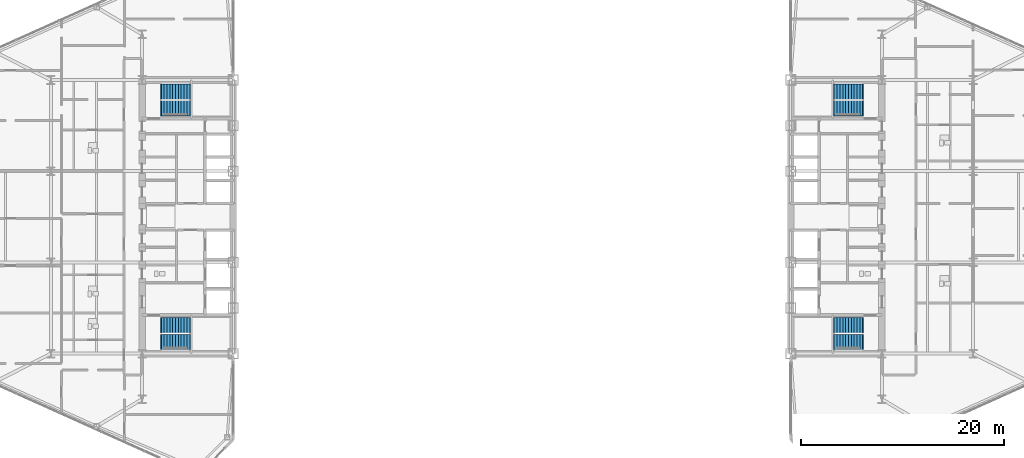
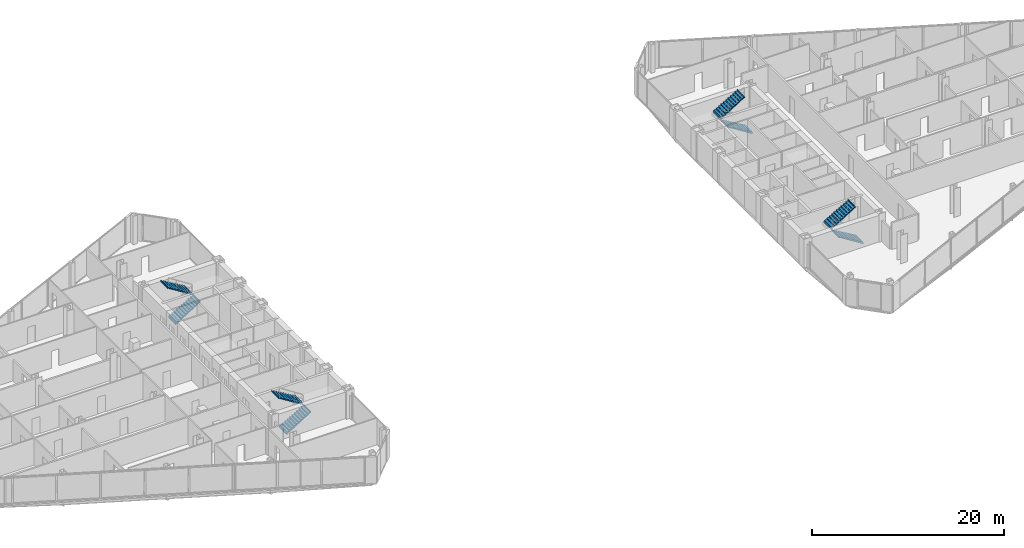
# One storey, part 25 of 27: 8 stair flights, 4 elements without a shape of their own.
"""IFC4 building model written with IfcOpenShell, lengths in metres."""

from ifc_helpers import new_model, si_unit, direction, frame, origin, place, context, subcontext, project, spatial, polyline, outline, extrude, material, type_object, element, aggregate, save


model = new_model("IFC4")

# Units and contexts
model_context = context("Model", 3, precision=1e-05, world=origin(), true_north=direction((0.0, 1.0)))
body_context = subcontext(model_context, "Body", "Model", "MODEL_VIEW")
ifc_project = project(units=[si_unit("LENGTHUNIT", "METRE"), si_unit("AREAUNIT", "SQUARE_METRE"), si_unit("VOLUMEUNIT", "CUBIC_METRE"), si_unit("PLANEANGLEUNIT", "RADIAN"), si_unit("MASSUNIT", "GRAM", prefix="KILO")], contexts=[model_context])

# Site, building, storey
site_placement = place(None, origin())
site = spatial("IfcSite", under=ifc_project, at=site_placement, CompositionType="ELEMENT")
building_placement = place(site_placement, origin())
building = spatial("IfcBuilding", under=site, at=building_placement, Name="Seokmaru Belvedere", CompositionType="ELEMENT")
storey_placement = place(building_placement, frame((0.0, 0.0, 76.5)))
storey = spatial("IfcBuildingStorey", under=building, at=storey_placement, Name="L20", CompositionType="ELEMENT", Elevation=76.5)

# Stair, stair flights
ifc_material = material(Name="Concrete C40 (40 MPa)", Category="concrete")
stair_type = type_object("IfcStairType", Name="Typical Tower Core Dog-Leg Stair 3600", PredefinedType="TWO_STRAIGHT_RUN_STAIR", material=ifc_material)
stair_1_placement = place(storey_placement, origin())
stair_1 = element("IfcStair", 1, at=stair_1_placement, inside=storey, type_object=stair_type, Name="L20 Special Escape Stair ST-W1", PredefinedType="TWO_STRAIGHT_RUN_STAIR")
stair_flight_type = type_object("IfcStairFlightType", Name="Reinforced Concrete Stair Flight 1500", PredefinedType="STRAIGHT", material=ifc_material)
stair_flight_1_placement = place(storey_placement, frame((-34.60009765625, -12.35009765625, 0.0), z_axis=(0.0, 0.0, 1.0), x_axis=(1.0, 0.0, 0.0)))
stair_flight_1 = element("IfcStairFlight", 2, at=stair_flight_1_placement, type_object=stair_flight_type, Name="ST-W1 flight 1", NumberOfRisers=11, NumberOfTreads=10, PredefinedType="STRAIGHT", RiserHeight=0.163636364, TreadLength=0.28, context=body_context, shape_type="SweptSolid", body=[
    extrude(outline(polyline([(-0.080078125, 0.0), (0.0, 0.16357421875), (0.280029296875, 0.16357421875), (0.280029296875, 0.327392578125), (0.56005859375, 0.327392578125), (0.56005859375, 0.490966796875), (0.840087890625, 0.490966796875), (0.840087890625, 0.654541015625), (1.1201171875, 0.654541015625), (1.1201171875, 0.818115234375), (1.39990234375, 0.818115234375), (1.39990234375, 0.98193359375), (1.679931640625, 0.98193359375), (1.679931640625, 1.1455078125), (1.9599609375, 1.1455078125), (1.9599609375, 1.30908203125), (2.239990234375, 1.30908203125), (2.239990234375, 1.47265625), (2.52001953125, 1.47265625), (2.52001953125, 1.636474609375), (2.800048828125, 1.636474609375), (2.800048828125, 1.800048828125), (2.8798828125, 1.800048828125), (2.8798828125, 1.610107421875), (2.800048828125, 1.610107421875), (0.0, -0.159912109375), (-0.080078125, -0.159912109375), (-0.080078125, 0.0)])), frame((0.0, 0.75, 0.0), z_axis=(0.0, -1.0, 0.0), x_axis=(1.0, 0.0, 0.0)), (0.0, 0.0, 1.0), 1.5),
])
stair_flight_2_placement = place(storey_placement, frame((-31.800048828125, -10.7099609375, 1.800048828125), z_axis=(0.0, 0.0, 1.0), x_axis=(-1.0, 0.0, 0.0)))
stair_flight_2 = element("IfcStairFlight", 3, at=stair_flight_2_placement, type_object=stair_flight_type, Name="ST-W1 flight 2", NumberOfRisers=11, NumberOfTreads=10, PredefinedType="STRAIGHT", RiserHeight=0.163636364, TreadLength=0.28, context=body_context, shape_type="SweptSolid", body=[
    extrude(outline(polyline([(-0.080078125, 0.0), (0.0, 0.16357421875), (0.280029296875, 0.16357421875), (0.280029296875, 0.327392578125), (0.56005859375, 0.327392578125), (0.56005859375, 0.490966796875), (0.840087890625, 0.490966796875), (0.840087890625, 0.654541015625), (1.1201171875, 0.654541015625), (1.1201171875, 0.818115234375), (1.39990234375, 0.818115234375), (1.39990234375, 0.98193359375), (1.679931640625, 0.98193359375), (1.679931640625, 1.1455078125), (1.9599609375, 1.1455078125), (1.9599609375, 1.30908203125), (2.239990234375, 1.30908203125), (2.239990234375, 1.47265625), (2.52001953125, 1.47265625), (2.52001953125, 1.636474609375), (2.800048828125, 1.636474609375), (2.800048828125, 1.800048828125), (2.8798828125, 1.800048828125), (2.8798828125, 1.610107421875), (2.800048828125, 1.610107421875), (0.0, -0.159912109375), (-0.080078125, -0.159912109375), (-0.080078125, 0.0)])), frame((0.0, 0.75, 0.0), z_axis=(0.0, -1.0, 0.0), x_axis=(1.0, 0.0, 0.0)), (0.0, 0.0, 1.0), 1.5),
])
aggregate(stair_1, [stair_flight_1, stair_flight_2])

stair_2_placement = place(storey_placement, origin())
stair_2 = element("IfcStair", 4, at=stair_2_placement, inside=storey, type_object=stair_type, Name="L20 Special Escape Stair ST-W2", PredefinedType="TWO_STRAIGHT_RUN_STAIR")
stair_flight_3_placement = place(storey_placement, frame((-34.60009765625, 10.7099609375, 0.0), z_axis=(0.0, 0.0, 1.0), x_axis=(1.0, 0.0, 0.0)))
stair_flight_3 = element("IfcStairFlight", 5, at=stair_flight_3_placement, type_object=stair_flight_type, Name="ST-W2 flight 1", NumberOfRisers=11, NumberOfTreads=10, PredefinedType="STRAIGHT", RiserHeight=0.163636364, TreadLength=0.28, context=body_context, shape_type="SweptSolid", body=[
    extrude(outline(polyline([(-0.080078125, 0.0), (0.0, 0.16357421875), (0.280029296875, 0.16357421875), (0.280029296875, 0.327392578125), (0.56005859375, 0.327392578125), (0.56005859375, 0.490966796875), (0.840087890625, 0.490966796875), (0.840087890625, 0.654541015625), (1.1201171875, 0.654541015625), (1.1201171875, 0.818115234375), (1.39990234375, 0.818115234375), (1.39990234375, 0.98193359375), (1.679931640625, 0.98193359375), (1.679931640625, 1.1455078125), (1.9599609375, 1.1455078125), (1.9599609375, 1.30908203125), (2.239990234375, 1.30908203125), (2.239990234375, 1.47265625), (2.52001953125, 1.47265625), (2.52001953125, 1.636474609375), (2.800048828125, 1.636474609375), (2.800048828125, 1.800048828125), (2.8798828125, 1.800048828125), (2.8798828125, 1.610107421875), (2.800048828125, 1.610107421875), (0.0, -0.159912109375), (-0.080078125, -0.159912109375), (-0.080078125, 0.0)])), frame((0.0, 0.75, 0.0), z_axis=(0.0, -1.0, 0.0), x_axis=(1.0, 0.0, 0.0)), (0.0, 0.0, 1.0), 1.5),
])
stair_flight_4_placement = place(storey_placement, frame((-31.800048828125, 12.35009765625, 1.800048828125), z_axis=(0.0, 0.0, 1.0), x_axis=(-1.0, 0.0, 0.0)))
stair_flight_4 = element("IfcStairFlight", 6, at=stair_flight_4_placement, type_object=stair_flight_type, Name="ST-W2 flight 2", NumberOfRisers=11, NumberOfTreads=10, PredefinedType="STRAIGHT", RiserHeight=0.163636364, TreadLength=0.28, context=body_context, shape_type="SweptSolid", body=[
    extrude(outline(polyline([(-0.080078125, 0.0), (0.0, 0.16357421875), (0.280029296875, 0.16357421875), (0.280029296875, 0.327392578125), (0.56005859375, 0.327392578125), (0.56005859375, 0.490966796875), (0.840087890625, 0.490966796875), (0.840087890625, 0.654541015625), (1.1201171875, 0.654541015625), (1.1201171875, 0.818115234375), (1.39990234375, 0.818115234375), (1.39990234375, 0.98193359375), (1.679931640625, 0.98193359375), (1.679931640625, 1.1455078125), (1.9599609375, 1.1455078125), (1.9599609375, 1.30908203125), (2.239990234375, 1.30908203125), (2.239990234375, 1.47265625), (2.52001953125, 1.47265625), (2.52001953125, 1.636474609375), (2.800048828125, 1.636474609375), (2.800048828125, 1.800048828125), (2.8798828125, 1.800048828125), (2.8798828125, 1.610107421875), (2.800048828125, 1.610107421875), (0.0, -0.159912109375), (-0.080078125, -0.159912109375), (-0.080078125, 0.0)])), frame((0.0, 0.75, 0.0), z_axis=(0.0, -1.0, 0.0), x_axis=(1.0, 0.0, 0.0)), (0.0, 0.0, 1.0), 1.5),
])
aggregate(stair_2, [stair_flight_3, stair_flight_4])

stair_3_placement = place(storey_placement, origin())
stair_3 = element("IfcStair", 7, at=stair_3_placement, inside=storey, type_object=stair_type, Name="L20 Special Escape Stair ST-E1", PredefinedType="TWO_STRAIGHT_RUN_STAIR")
stair_flight_5_placement = place(storey_placement, frame((34.60009765625, -12.35009765625, 0.0), z_axis=(0.0, 0.0, 1.0), x_axis=(-1.0, 0.0, 0.0)))
stair_flight_5 = element("IfcStairFlight", 8, at=stair_flight_5_placement, type_object=stair_flight_type, Name="ST-E1 flight 1", NumberOfRisers=11, NumberOfTreads=10, PredefinedType="STRAIGHT", RiserHeight=0.163636364, TreadLength=0.28, context=body_context, shape_type="SweptSolid", body=[
    extrude(outline(polyline([(-0.080078125, 0.0), (0.0, 0.16357421875), (0.280029296875, 0.16357421875), (0.280029296875, 0.327392578125), (0.56005859375, 0.327392578125), (0.56005859375, 0.490966796875), (0.840087890625, 0.490966796875), (0.840087890625, 0.654541015625), (1.1201171875, 0.654541015625), (1.1201171875, 0.818115234375), (1.39990234375, 0.818115234375), (1.39990234375, 0.98193359375), (1.679931640625, 0.98193359375), (1.679931640625, 1.1455078125), (1.9599609375, 1.1455078125), (1.9599609375, 1.30908203125), (2.239990234375, 1.30908203125), (2.239990234375, 1.47265625), (2.52001953125, 1.47265625), (2.52001953125, 1.636474609375), (2.800048828125, 1.636474609375), (2.800048828125, 1.800048828125), (2.8798828125, 1.800048828125), (2.8798828125, 1.610107421875), (2.800048828125, 1.610107421875), (0.0, -0.159912109375), (-0.080078125, -0.159912109375), (-0.080078125, 0.0)])), frame((0.0, 0.75, 0.0), z_axis=(0.0, -1.0, 0.0), x_axis=(1.0, 0.0, 0.0)), (0.0, 0.0, 1.0), 1.5),
])
stair_flight_6_placement = place(storey_placement, frame((31.800048828125, -10.7099609375, 1.800048828125), z_axis=(0.0, 0.0, 1.0), x_axis=(1.0, 0.0, 0.0)))
stair_flight_6 = element("IfcStairFlight", 9, at=stair_flight_6_placement, type_object=stair_flight_type, Name="ST-E1 flight 2", NumberOfRisers=11, NumberOfTreads=10, PredefinedType="STRAIGHT", RiserHeight=0.163636364, TreadLength=0.28, context=body_context, shape_type="SweptSolid", body=[
    extrude(outline(polyline([(-0.080078125, 0.0), (0.0, 0.16357421875), (0.280029296875, 0.16357421875), (0.280029296875, 0.327392578125), (0.56005859375, 0.327392578125), (0.56005859375, 0.490966796875), (0.840087890625, 0.490966796875), (0.840087890625, 0.654541015625), (1.1201171875, 0.654541015625), (1.1201171875, 0.818115234375), (1.39990234375, 0.818115234375), (1.39990234375, 0.98193359375), (1.679931640625, 0.98193359375), (1.679931640625, 1.1455078125), (1.9599609375, 1.1455078125), (1.9599609375, 1.30908203125), (2.239990234375, 1.30908203125), (2.239990234375, 1.47265625), (2.52001953125, 1.47265625), (2.52001953125, 1.636474609375), (2.800048828125, 1.636474609375), (2.800048828125, 1.800048828125), (2.8798828125, 1.800048828125), (2.8798828125, 1.610107421875), (2.800048828125, 1.610107421875), (0.0, -0.159912109375), (-0.080078125, -0.159912109375), (-0.080078125, 0.0)])), frame((0.0, 0.75, 0.0), z_axis=(0.0, -1.0, 0.0), x_axis=(1.0, 0.0, 0.0)), (0.0, 0.0, 1.0), 1.5),
])
aggregate(stair_3, [stair_flight_5, stair_flight_6])

stair_4_placement = place(storey_placement, origin())
stair_4 = element("IfcStair", 10, at=stair_4_placement, inside=storey, type_object=stair_type, Name="L20 Special Escape Stair ST-E2", PredefinedType="TWO_STRAIGHT_RUN_STAIR")
stair_flight_7_placement = place(storey_placement, frame((34.60009765625, 10.7099609375, 0.0), z_axis=(0.0, 0.0, 1.0), x_axis=(-1.0, 0.0, 0.0)))
stair_flight_7 = element("IfcStairFlight", 11, at=stair_flight_7_placement, type_object=stair_flight_type, Name="ST-E2 flight 1", NumberOfRisers=11, NumberOfTreads=10, PredefinedType="STRAIGHT", RiserHeight=0.163636364, TreadLength=0.28, context=body_context, shape_type="SweptSolid", body=[
    extrude(outline(polyline([(-0.080078125, 0.0), (0.0, 0.16357421875), (0.280029296875, 0.16357421875), (0.280029296875, 0.327392578125), (0.56005859375, 0.327392578125), (0.56005859375, 0.490966796875), (0.840087890625, 0.490966796875), (0.840087890625, 0.654541015625), (1.1201171875, 0.654541015625), (1.1201171875, 0.818115234375), (1.39990234375, 0.818115234375), (1.39990234375, 0.98193359375), (1.679931640625, 0.98193359375), (1.679931640625, 1.1455078125), (1.9599609375, 1.1455078125), (1.9599609375, 1.30908203125), (2.239990234375, 1.30908203125), (2.239990234375, 1.47265625), (2.52001953125, 1.47265625), (2.52001953125, 1.636474609375), (2.800048828125, 1.636474609375), (2.800048828125, 1.800048828125), (2.8798828125, 1.800048828125), (2.8798828125, 1.610107421875), (2.800048828125, 1.610107421875), (0.0, -0.159912109375), (-0.080078125, -0.159912109375), (-0.080078125, 0.0)])), frame((0.0, 0.75, 0.0), z_axis=(0.0, -1.0, 0.0), x_axis=(1.0, 0.0, 0.0)), (0.0, 0.0, 1.0), 1.5),
])
stair_flight_8_placement = place(storey_placement, frame((31.800048828125, 12.35009765625, 1.800048828125), z_axis=(0.0, 0.0, 1.0), x_axis=(1.0, 0.0, 0.0)))
stair_flight_8 = element("IfcStairFlight", 12, at=stair_flight_8_placement, type_object=stair_flight_type, Name="ST-E2 flight 2", NumberOfRisers=11, NumberOfTreads=10, PredefinedType="STRAIGHT", RiserHeight=0.163636364, TreadLength=0.28, context=body_context, shape_type="SweptSolid", body=[
    extrude(outline(polyline([(-0.080078125, 0.0), (0.0, 0.16357421875), (0.280029296875, 0.16357421875), (0.280029296875, 0.327392578125), (0.56005859375, 0.327392578125), (0.56005859375, 0.490966796875), (0.840087890625, 0.490966796875), (0.840087890625, 0.654541015625), (1.1201171875, 0.654541015625), (1.1201171875, 0.818115234375), (1.39990234375, 0.818115234375), (1.39990234375, 0.98193359375), (1.679931640625, 0.98193359375), (1.679931640625, 1.1455078125), (1.9599609375, 1.1455078125), (1.9599609375, 1.30908203125), (2.239990234375, 1.30908203125), (2.239990234375, 1.47265625), (2.52001953125, 1.47265625), (2.52001953125, 1.636474609375), (2.800048828125, 1.636474609375), (2.800048828125, 1.800048828125), (2.8798828125, 1.800048828125), (2.8798828125, 1.610107421875), (2.800048828125, 1.610107421875), (0.0, -0.159912109375), (-0.080078125, -0.159912109375), (-0.080078125, 0.0)])), frame((0.0, 0.75, 0.0), z_axis=(0.0, -1.0, 0.0), x_axis=(1.0, 0.0, 0.0)), (0.0, 0.0, 1.0), 1.5),
])
aggregate(stair_4, [stair_flight_7, stair_flight_8])

save(model, "model.ifc")
